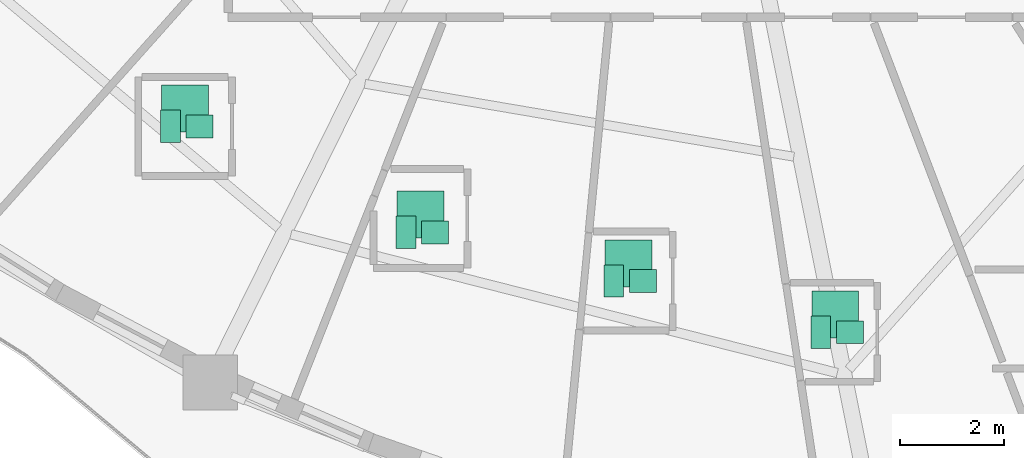
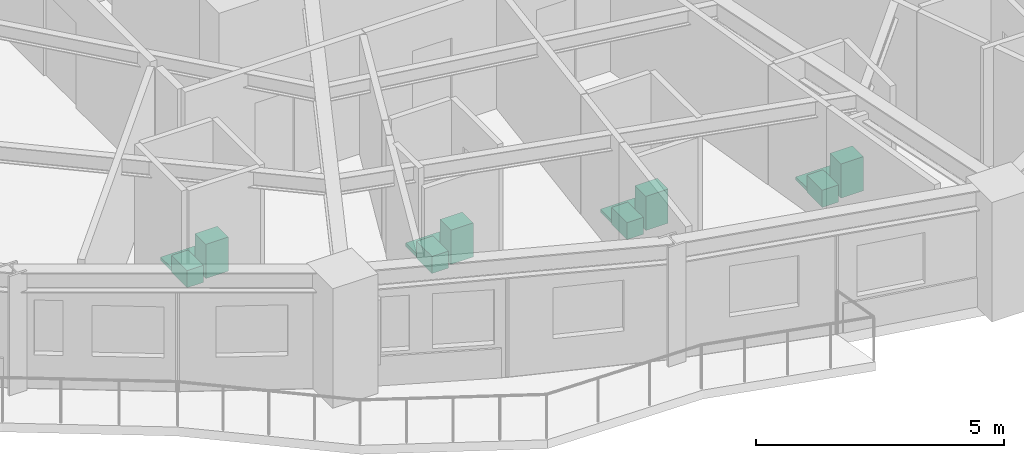
# One storey, part 14 of 14: 12 sanitary terminals.
"""IFC4 building model written with IfcOpenShell, lengths in metres."""

from ifc_helpers import new_model, si_unit, direction, frame, origin, origin_2d, place, context, subcontext, project, spatial, rectangle, extrude, source, transform, mapped, material, type_object, element, save


model = new_model("IFC4")

# Units and contexts
model_context = context("Model", 3, precision=1e-05, world=origin(), true_north=direction((0.0, 1.0)))
body_context = subcontext(model_context, "Body", "Model", "MODEL_VIEW")
ifc_project = project(units=[si_unit("LENGTHUNIT", "METRE"), si_unit("AREAUNIT", "SQUARE_METRE"), si_unit("VOLUMEUNIT", "CUBIC_METRE"), si_unit("PLANEANGLEUNIT", "RADIAN"), si_unit("MASSUNIT", "GRAM", prefix="KILO")], contexts=[model_context])

# Site, building, storey
site_placement = place(None, origin())
site = spatial("IfcSite", under=ifc_project, at=site_placement, CompositionType="ELEMENT")
building_placement = place(site_placement, origin())
building = spatial("IfcBuilding", under=site, at=building_placement, Name="Qafzar Sky-Pleat Residences", CompositionType="ELEMENT")
storey_placement = place(building_placement, frame((0.0, 0.0, 23.800048828125)))
storey = spatial("IfcBuildingStorey", under=building, at=storey_placement, Name="L06", CompositionType="ELEMENT", Elevation=23.800048828125)

# Sanitary terminals
ifc_material_1 = material(Name="Vitreous china sanitaryware")
sanitary_terminal_type_1 = type_object("IfcSanitaryTerminalType", Name="SAN-WC-PAN", PredefinedType="TOILETPAN", material=ifc_material_1)
shared_shape_1 = source(origin(), body_context, "Body", "SweptSolid", [
    extrude(rectangle(XDim=0.3798828125, YDim=0.6201171875, at=origin_2d()), origin(), (0.0, 0.0, 1.0), 0.419921875),
])
for number, where, z_axis, x_axis, name in (
    (1, (20.912109375, 13.323974609375, 0.0), (0.0, 0.0, 1.0), (1.0, 0.0, 0.0), "L06 En-suite Bathroom 5 WC Pan"),
    (2, (25.430908203125, 11.290283203125, 0.0), (0.0, 0.0, 1.0), (1.0, 0.0, 0.0), "L06 En-suite Bathroom 6 WC Pan"),
    (3, (29.421142578125, 10.35595703125, 0.0), (0.0, 0.0, 1.0), (1.0, 0.0, 0.0), "L06 En-suite Bathroom 7 WC Pan"),
    (4, (33.390869140625, 9.3740234375, 0.0), (0.0, 0.0, 1.0), (1.0, 0.0, 0.0), "L06 En-suite Bathroom 8 WC Pan"),
):
    element("IfcSanitaryTerminal", number, at=place(storey_placement, frame(where, z_axis=z_axis, x_axis=x_axis)), inside=storey, type_object=sanitary_terminal_type_1, Name=name, PredefinedType="TOILETPAN", context=body_context, shape_type="MappedRepresentation", body=[
        mapped(shared_shape_1, transform((0.0, 0.0, 0.0), x_axis=(1.0, 0.0, 0.0), y_axis=(0.0, 1.0, 0.0), z_axis=(0.0, 0.0, 1.0), scale=1.0)),
    ])
sanitary_terminal_type_2 = type_object("IfcSanitaryTerminalType", Name="SAN-BASIN", PredefinedType="WASHHANDBASIN", material=ifc_material_1)
shared_shape_2 = source(origin(), body_context, "Body", "SweptSolid", [
    extrude(rectangle(XDim=0.52001953125, YDim=0.43994140625, at=origin_2d()), origin(), (0.0, 0.0, 1.0), 0.840087890625),
])
for number, where, z_axis, x_axis, name in (
    (5, (21.471923828125, 13.323974609375, 0.0), (0.0, 0.0, 1.0), (1.0, 0.0, 0.0), "L06 En-suite Bathroom 5 Pedestal Washbasin"),
    (6, (25.990966796875, 11.290283203125, 0.0), (0.0, 0.0, 1.0), (1.0, 0.0, 0.0), "L06 En-suite Bathroom 6 Pedestal Washbasin"),
    (7, (29.981201171875, 10.35595703125, 0.0), (0.0, 0.0, 1.0), (1.0, 0.0, 0.0), "L06 En-suite Bathroom 7 Pedestal Washbasin"),
    (8, (33.950927734375, 9.3740234375, 0.0), (0.0, 0.0, 1.0), (1.0, 0.0, 0.0), "L06 En-suite Bathroom 8 Pedestal Washbasin"),
):
    element("IfcSanitaryTerminal", number, at=place(storey_placement, frame(where, z_axis=z_axis, x_axis=x_axis)), inside=storey, type_object=sanitary_terminal_type_2, Name=name, PredefinedType="WASHHANDBASIN", context=body_context, shape_type="MappedRepresentation", body=[
        mapped(shared_shape_2, transform((0.0, 0.0, 0.0), x_axis=(1.0, 0.0, 0.0), y_axis=(0.0, 1.0, 0.0), z_axis=(0.0, 0.0, 1.0), scale=1.0)),
    ])
ifc_material_2 = material(Name="Vitreous china and acrylic tray")
sanitary_terminal_type_3 = type_object("IfcSanitaryTerminalType", Name="SAN-SHOWER", PredefinedType="SHOWER", material=ifc_material_2)
shared_shape_3 = source(origin(), body_context, "Body", "SweptSolid", [
    extrude(rectangle(XDim=0.89990234375, YDim=0.89990234375, at=origin_2d()), origin(), (0.0, 0.0, 1.0), 0.080078125),
])
for number, where, z_axis, x_axis, name in (
    (9, (21.19189453125, 13.6640625, 0.0), (0.0, 0.0, 1.0), (1.0, 0.0, 0.0), "L06 En-suite Bathroom 5 Walk-In Shower"),
    (10, (25.7109375, 11.63037109375, 0.0), (0.0, 0.0, 1.0), (1.0, 0.0, 0.0), "L06 En-suite Bathroom 6 Walk-In Shower"),
    (11, (29.701171875, 10.696044921875, 0.0), (0.0, 0.0, 1.0), (1.0, 0.0, 0.0), "L06 En-suite Bathroom 7 Walk-In Shower"),
    (12, (33.6708984375, 9.714111328125, 0.0), (0.0, 0.0, 1.0), (1.0, 0.0, 0.0), "L06 En-suite Bathroom 8 Walk-In Shower"),
):
    element("IfcSanitaryTerminal", number, at=place(storey_placement, frame(where, z_axis=z_axis, x_axis=x_axis)), inside=storey, type_object=sanitary_terminal_type_3, Name=name, PredefinedType="SHOWER", context=body_context, shape_type="MappedRepresentation", body=[
        mapped(shared_shape_3, transform((0.0, 0.0, 0.0), x_axis=(1.0, 0.0, 0.0), y_axis=(0.0, 1.0, 0.0), z_axis=(0.0, 0.0, 1.0), scale=1.0)),
    ])

save(model, "model.ifc")
